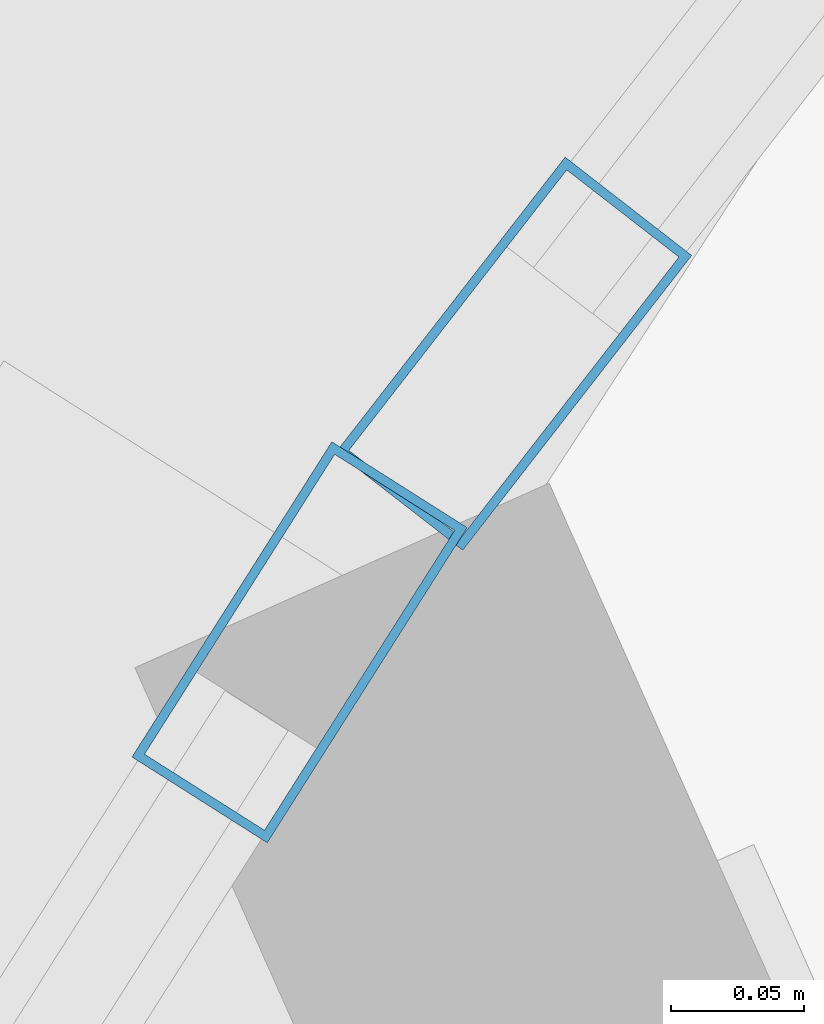
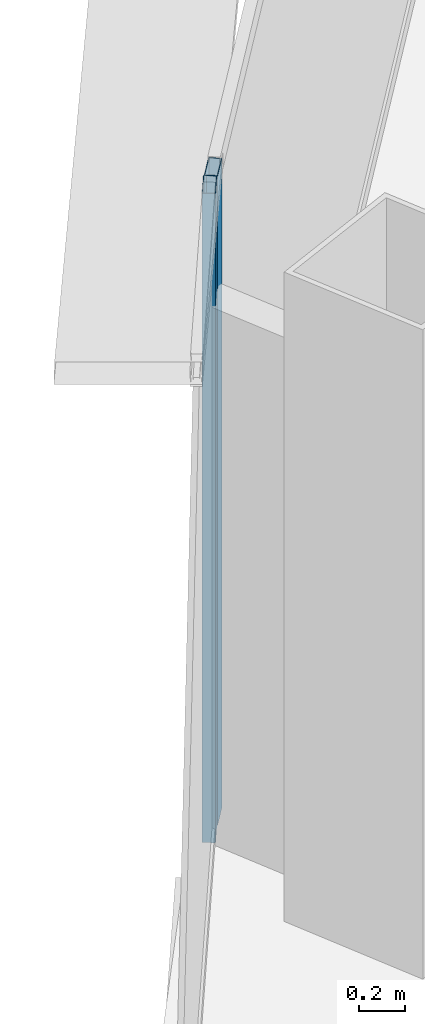
# One storey, part 21 of 33: 2 members, 2 elements without a shape of their own.
"""IFC4 building model written with IfcOpenShell, lengths in metres."""

from ifc_helpers import new_model, si_unit, direction, frame, origin, origin_2d, place, context, subcontext, project, spatial, hollow_rectangle, extrude, source, transform, mapped, material, layer, layer_set, material_profile, profile_set, type_object, element, aggregate, save


model = new_model("IFC4")

# Units and contexts
model_context = context("Model", 3, precision=1e-05, world=origin(), true_north=direction((0.0, 1.0)))
body_context = subcontext(model_context, "Body", "Model", "MODEL_VIEW")
ifc_project = project(units=[si_unit("LENGTHUNIT", "METRE"), si_unit("AREAUNIT", "SQUARE_METRE"), si_unit("VOLUMEUNIT", "CUBIC_METRE"), si_unit("PLANEANGLEUNIT", "RADIAN"), si_unit("MASSUNIT", "GRAM", prefix="KILO"), si_unit("THERMODYNAMICTEMPERATUREUNIT", "KELVIN"), si_unit("POWERUNIT", "WATT")], contexts=[model_context])

# Site, building, storey
site_placement = place(None, origin())
site = spatial("IfcSite", under=ifc_project, at=site_placement, CompositionType="ELEMENT")
building_placement = place(site_placement, origin())
building = spatial("IfcBuilding", under=site, at=building_placement, Name="Yunzhuo Pagoda Commons", CompositionType="ELEMENT")
storey_placement = place(building_placement, frame((0.0, 0.0, 311.1298828125)))
storey = spatial("IfcBuildingStorey", under=building, at=storey_placement, Name="L78", CompositionType="ELEMENT", Elevation=311.1298828125)

# Curtain wall, member
ifc_material = material(Name="Anodized aluminium 6063-T6", Category="aluminium")
ifc_layer = layer(ifc_material, 0.139892578125)
ifc_layer_set = layer_set([ifc_layer], Name="Anodized aluminium 6063-T6")
curtain_wall_type = type_object("IfcCurtainWallType", Name="CW-HI High-Zone Ribbon Curtain Wall", PredefinedType="NOTDEFINED", material=ifc_layer_set)
curtain_wall_1_placement = place(storey_placement, origin())
curtain_wall_1 = element("IfcCurtainWall", 1, at=curtain_wall_1_placement, inside=storey, type_object=curtain_wall_type, Name="L78 curtain wall CW-L78-F3B2", PredefinedType="NOTDEFINED")
ifc_material_profile = material_profile(ifc_material, hollow_rectangle(XDim=0.06005859375, YDim=0.139892578125, WallThickness=0.00341796875, at=origin_2d()), Name="Anodized aluminium 6063-T6")
ifc_profile_set = profile_set([ifc_material_profile], Name="Anodized aluminium 6063-T6")
member_type = type_object("IfcMemberType", Name="CW-HI-M Mullion RHS 140x60x3.5", PredefinedType="MULLION", material=ifc_profile_set)
shared_shape = source(origin(), body_context, "Body", "SweptSolid", [
    extrude(hollow_rectangle(XDim=0.06005859375, YDim=0.139892578125, WallThickness=0.00341796875, at=origin_2d()), origin(), (0.0, 0.0, 1.0), 3.47021484375),
])
member_1_placement = place(storey_placement, frame((35.442626953125, 61.84326171875, 0.0), z_axis=(0.0, 0.0, 1.0), x_axis=(0.844512740935, -0.535535461383, 0.0)))
member_1 = element("IfcMember", 2, at=member_1_placement, type_object=member_type, Name="CW mullion 1", PredefinedType="MULLION", context=body_context, shape_type="MappedRepresentation", body=[
    mapped(shared_shape, transform((0.0, 0.0, 0.0), scale=1.0)),
])
aggregate(curtain_wall_1, [member_1])

curtain_wall_2_placement = place(storey_placement, origin())
curtain_wall_2 = element("IfcCurtainWall", 3, at=curtain_wall_2_placement, inside=storey, type_object=curtain_wall_type, Name="L78 curtain wall CW-L78-F3B1", PredefinedType="NOTDEFINED")
member_2_placement = place(storey_placement, frame((35.52294921875, 61.951416015625, 0.0), z_axis=(0.0, 0.0, 1.0), x_axis=(0.789782734714, -0.61338669039, 0.0)))
member_2 = element("IfcMember", 4, at=member_2_placement, type_object=member_type, Name="CW mullion 2", PredefinedType="MULLION", context=body_context, shape_type="MappedRepresentation", body=[
    mapped(shared_shape, transform((0.0, 0.0, 0.0), scale=1.0)),
])
aggregate(curtain_wall_2, [member_2])

save(model, "model.ifc")
